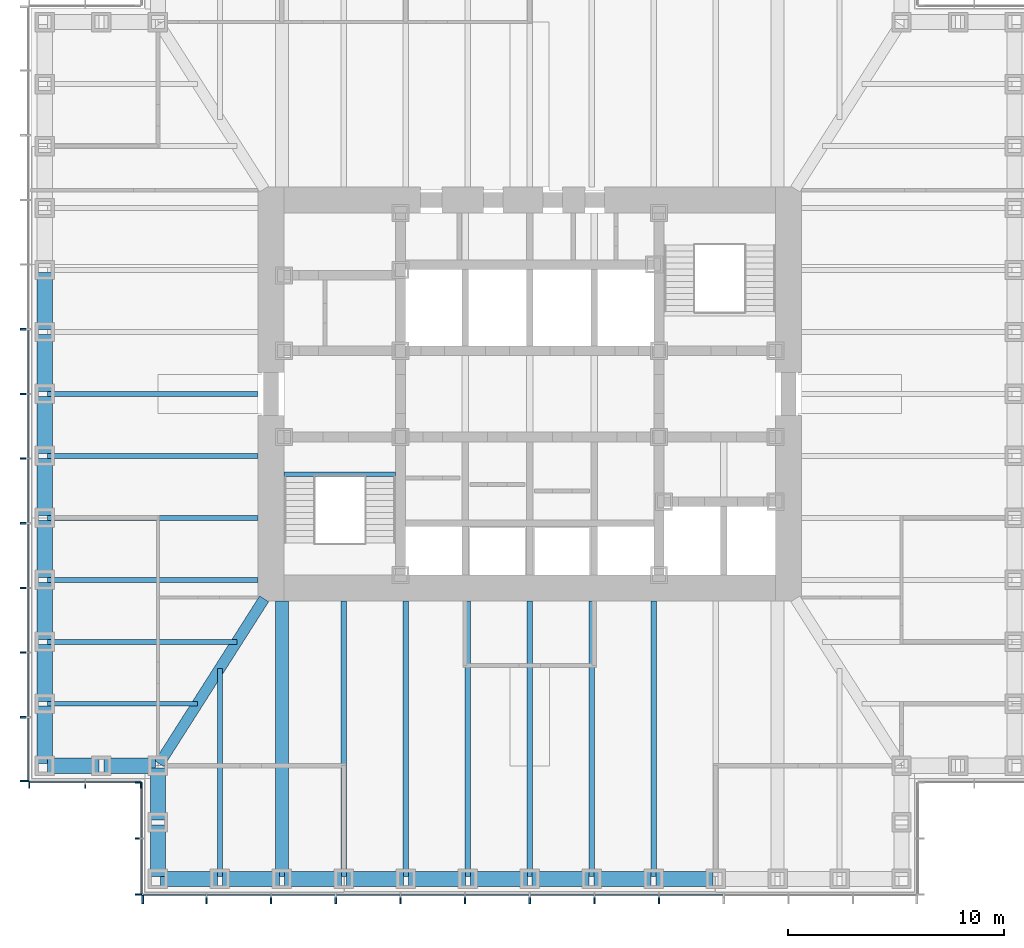
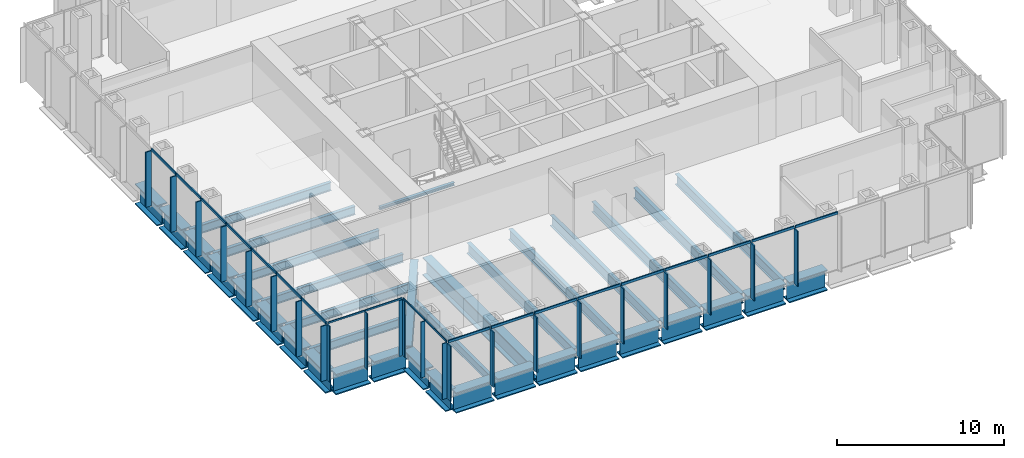
# One storey, part 2 of 16: 43 members, 37 beams, 4 elements without a shape of their own.
"""IFC4 building model written with IfcOpenShell, lengths in metres."""

import ifcopenshell
import ifcopenshell.guid

model = None  # the IFC model being written
_history = None  # IfcOwnerHistory: only IFC2X3 demands one
_inside = {}  # id of a spatial element -> (the spatial element, [elements in it])
_under = {}  # id of a project, library or spatial element -> (it, [spatial elements below it])
_declared = {}  # id of a project -> (the project, [libraries it declares])
_typed = {}  # id of a type object -> (the type object, [elements of that type])
_made_of = {}  # id of a material, layer set ... -> (it, [elements and type objects made of it])


def new_model(schema):
    """Start an empty IFC model of exactly this schema.

    Asked for "IFC4X3", IfcOpenShell would pick the latest addendum, in which some entities
    have other attributes; the version numbers below select the first issue.
    IFC2X3 requires an IfcOwnerHistory on every rooted entity: one is made here for all.
    """
    global model, _history
    if schema == "IFC4X3":
        model = ifcopenshell.file(schema_version=(4, 3, 0, 0))
    else:
        model = ifcopenshell.file(schema=schema)
    _inside.clear()
    _under.clear()
    _declared.clear()
    _typed.clear()
    _made_of.clear()
    _history = None
    if model.schema == "IFC2X3":
        org = make("IfcOrganization", Name="unknown")
        user = make(
            "IfcPersonAndOrganization",
            ThePerson=make("IfcPerson", FamilyName="unknown"),
            TheOrganization=org,
        )
        app = make(
            "IfcApplication",
            ApplicationDeveloper=org,
            Version="unknown",
            ApplicationFullName="unknown",
            ApplicationIdentifier="unknown",
        )
        _history = make(
            "IfcOwnerHistory",
            OwningUser=user,
            OwningApplication=app,
            ChangeAction="ADDED",
            CreationDate=0,
        )
    return model


def make(cls, **values):
    """One entity of the class cls with the attributes given. An attribute that is None is left unset."""
    return model.create_entity(
        cls, **{name: value for name, value in values.items() if value is not None}
    )


def rooted(cls, **values):
    """An entity with a GlobalId (a new one), such as an element, a storey or a relation."""
    return make(cls, GlobalId=ifcopenshell.guid.new(), OwnerHistory=_history, **values)


def si_unit(unit_type, name, prefix=None):
    """IfcSIUnit, for example si_unit("LENGTHUNIT", "METRE", prefix="MILLI")."""
    return make("IfcSIUnit", UnitType=unit_type, Prefix=prefix, Name=name)


def assignment(units):
    """IfcUnitAssignment: the units of a project."""
    return None if units is None else make("IfcUnitAssignment", Units=units)


def point(xyz):
    """IfcCartesianPoint."""
    return None if xyz is None else make("IfcCartesianPoint", Coordinates=xyz)


def direction(xyz):
    """IfcDirection."""
    return None if xyz is None else make("IfcDirection", DirectionRatios=xyz)


def frame(location, z_axis=None, x_axis=None):
    """IfcAxis2Placement3D, a coordinate frame: its origin and axes. An axis left out is left unset."""
    return make(
        "IfcAxis2Placement3D",
        Location=point(location),
        Axis=direction(z_axis),
        RefDirection=direction(x_axis),
    )


def frame_2d(location, x_axis=None):
    """IfcAxis2Placement2D, a coordinate frame in the plane: its origin and x axis."""
    return make(
        "IfcAxis2Placement2D", Location=point(location), RefDirection=direction(x_axis)
    )


def origin():
    """The frame at (0, 0, 0) with its axes left unset."""
    return frame((0.0, 0.0, 0.0))


def origin_2d():
    """The frame at (0, 0) in the plane with its x axis left unset."""
    return frame_2d((0.0, 0.0))


def place(relative_to, where):
    """IfcLocalPlacement: puts the frame where relative to a parent placement (None: the world)."""
    return make(
        "IfcLocalPlacement", PlacementRelTo=relative_to, RelativePlacement=where
    )


def context(
    kind, dimensions, precision=None, world=None, true_north=None, identifier=None
):
    """IfcGeometricRepresentationContext, for example the 3D "Model" context."""
    return make(
        "IfcGeometricRepresentationContext",
        ContextIdentifier=identifier,
        ContextType=kind,
        CoordinateSpaceDimension=dimensions,
        Precision=precision,
        WorldCoordinateSystem=world,
        TrueNorth=true_north,
    )


def subcontext(parent, identifier, kind, view, scale=None):
    """IfcGeometricRepresentationSubContext, for example "Body" below "Model"."""
    return make(
        "IfcGeometricRepresentationSubContext",
        ContextIdentifier=identifier,
        ContextType=kind,
        ParentContext=parent,
        TargetScale=scale,
        TargetView=view,
    )


def project(units=None, contexts=None):
    """IfcProject with its units and contexts."""
    return rooted(
        "IfcProject",
        Name="project",
        RepresentationContexts=contexts,
        UnitsInContext=assignment(units),
    )


def spatial(cls, under=None, at=None, **own):
    """A site, building, storey or space (cls), placed at a placement, below another one or the project."""
    s = rooted(cls, ObjectPlacement=at, **own)
    if under is not None:
        _under.setdefault(under.id(), (under, []))[1].append(s)
    return s


def profile(cls, at=None, kind="AREA", **sizes):
    """A parametric profile (cls). Its sizes go by their IFC names, for example OverallWidth=200.0."""
    return make(cls, ProfileType=kind, Position=at, **sizes)


def rectangle(**sizes):
    """IfcRectangleProfileDef."""
    return profile("IfcRectangleProfileDef", **sizes)


def i_section(**sizes):
    """IfcIShapeProfileDef."""
    return profile("IfcIShapeProfileDef", **sizes)


def extrude(swept, where, along, depth):
    """IfcExtrudedAreaSolid: the profile swept, set in the frame where, extruded along a direction by depth."""
    return make(
        "IfcExtrudedAreaSolid",
        SweptArea=swept,
        Position=where,
        ExtrudedDirection=direction(along),
        Depth=depth,
    )


def shape(context_of_items, identifier, shape_type, items):
    """IfcShapeRepresentation: the items that make up one representation, for example the "Body"."""
    return make(
        "IfcShapeRepresentation",
        ContextOfItems=context_of_items,
        RepresentationIdentifier=identifier,
        RepresentationType=shape_type,
        Items=items,
    )


def material(Name=None, Category=None):
    """IfcMaterial."""
    return make("IfcMaterial", Name=Name, Category=Category)


def material_profile(
    of_material, cross_section, Name=None, Category=None, Priority=None
):
    """IfcMaterialProfile: a cross section and its material."""
    return make(
        "IfcMaterialProfile",
        Name=Name,
        Material=of_material,
        Profile=cross_section,
        Priority=Priority,
        Category=Category,
    )


def profile_set(profiles, Name=None, composite=None):
    """IfcMaterialProfileSet."""
    return make(
        "IfcMaterialProfileSet",
        Name=Name,
        MaterialProfiles=profiles,
        CompositeProfile=composite,
    )


def made_of(thing, what):
    """Note that an element or type object is made of a material, layer set ...; save() writes the relation."""
    if what is not None:
        _made_of.setdefault(what.id(), (what, []))[1].append(thing)
    return thing


def type_object(cls, material=None, **own):
    """A type object (cls), such as IfcWallType, which elements share."""
    return made_of(rooted(cls, **own), material)


def element(
    cls,
    number,
    at=None,
    inside=None,
    cuts=None,
    type_object=None,
    material=None,
    context=None,
    identifier="Body",
    shape_type=None,
    held_by="IfcProductDefinitionShape",
    body=None,
    shapes=None,
    **own,
):
    """One element of the class cls, such as IfcWall. Its Tag is "e" and its number.

    at: its placement. inside: the storey or other place that contains it. cuts: it is an
    opening in that element (IfcRelVoidsElement). A single representation is given by context,
    identifier, shape_type and body (its items); several are given by shapes. held_by: the class
    of the entity that holds the representations. save() writes the other relations.
    """
    e = rooted(cls, Tag="e%d" % number, ObjectPlacement=at, **own)
    if body is not None:
        shapes = [shape(context, identifier, shape_type, body)]
    if shapes is not None:
        e.Representation = make(held_by, Representations=shapes)
    if inside is not None:
        _inside.setdefault(inside.id(), (inside, []))[1].append(e)
    if cuts is not None:
        rooted(
            "IfcRelVoidsElement", RelatingBuildingElement=cuts, RelatedOpeningElement=e
        )
    if type_object is not None:
        _typed.setdefault(type_object.id(), (type_object, []))[1].append(e)
    return made_of(e, material)


def aggregate(whole, parts):
    """IfcRelAggregates: a whole, such as a stair, and the parts it consists of."""
    return rooted("IfcRelAggregates", RelatingObject=whole, RelatedObjects=parts)


def save(model, path):
    """Write the relations noted so far, then the file.

    IfcRelAggregates (storeys below a building ...), IfcRelContainedInSpatialStructure (elements
    in a storey), IfcRelDefinesByType, IfcRelAssociatesMaterial and IfcRelDeclares: one each for
    every whole, place, type object, material and project.
    """
    for whole, parts in _under.values():
        aggregate(whole, parts)
    for where, things in _inside.values():
        rooted(
            "IfcRelContainedInSpatialStructure",
            RelatedElements=things,
            RelatingStructure=where,
        )
    for kind, things in _typed.values():
        rooted("IfcRelDefinesByType", RelatedObjects=things, RelatingType=kind)
    for what, things in _made_of.values():
        rooted("IfcRelAssociatesMaterial", RelatedObjects=things, RelatingMaterial=what)
    for by, libraries in _declared.values():
        rooted("IfcRelDeclares", RelatingContext=by, RelatedDefinitions=libraries)
    model.write(path)


model = new_model("IFC4")

# Units and contexts
model_context = context("Model", 3, precision=1e-05, world=origin(), true_north=direction((0.0, 1.0)))
body_context = subcontext(model_context, "Body", "Model", "MODEL_VIEW")
ifc_project = project(units=[si_unit("LENGTHUNIT", "METRE"), si_unit("AREAUNIT", "SQUARE_METRE"), si_unit("VOLUMEUNIT", "CUBIC_METRE"), si_unit("PLANEANGLEUNIT", "RADIAN"), si_unit("MASSUNIT", "GRAM", prefix="KILO")], contexts=[model_context])

# Site, building, storey
site_placement = place(None, origin())
site = spatial("IfcSite", under=ifc_project, at=site_placement, CompositionType="ELEMENT")
building_placement = place(site_placement, origin())
building = spatial("IfcBuilding", under=site, at=building_placement, Name="Daluyong Arena Tower", CompositionType="ELEMENT")
storey_placement = place(building_placement, frame((0.0, 0.0, 137.5)))
storey = spatial("IfcBuildingStorey", under=building, at=storey_placement, Name="L30", CompositionType="ELEMENT", Elevation=137.5)

# Curtain wall, members
ifc_material_1 = material(Name="Bronze anodised aluminium and glass", Category="aluminium")
curtain_wall_type_1 = type_object("IfcCurtainWallType", Name="Curtain wall CW2", PredefinedType="USERDEFINED", material=ifc_material_1)
curtain_wall_1_placement = place(storey_placement, origin())
curtain_wall_1 = element("IfcCurtainWall", 1, at=curtain_wall_1_placement, inside=storey, type_object=curtain_wall_type_1, Name="curtain wall L30 S", ObjectType="UNITISED CURTAIN WALL", PredefinedType="USERDEFINED")
ifc_material_2 = material(Name="Bronze anodised aluminium fin", Category="aluminium")
ifc_material_profile_1 = material_profile(ifc_material_2, rectangle(XDim=0.39990234375, YDim=0.080078125, at=origin_2d()))
ifc_profile_set_1 = profile_set([ifc_material_profile_1], Name="Bronze anodised aluminium fin")
member_type_1 = type_object("IfcMemberType", Name="CW2 bronze fin 400x80", PredefinedType="MULLION", material=ifc_profile_set_1)
member_1_placement = place(storey_placement, frame((38.0400390625, 56.550048828125, 0.0), z_axis=(0.0, 0.0, 1.0), x_axis=(0.0, 1.0, 0.0)))
member_1 = element("IfcMember", 2, at=member_1_placement, type_object=member_type_1, Name="curtain wall L30 S fin 1", PredefinedType="MULLION", context=body_context, shape_type="SweptSolid", body=[
    extrude(rectangle(XDim=0.39990234375, YDim=0.080078125, at=origin_2d()), origin(), (0.0, 0.0, 1.0), 4.02001953125),
])
member_2_placement = place(storey_placement, frame((41.0, 56.550048828125, 0.0), z_axis=(0.0, 0.0, 1.0), x_axis=(0.0, 1.0, 0.0)))
member_2 = element("IfcMember", 3, at=member_2_placement, type_object=member_type_1, Name="curtain wall L30 S fin 2", PredefinedType="MULLION", context=body_context, shape_type="SweptSolid", body=[
    extrude(rectangle(XDim=0.39990234375, YDim=0.080078125, at=origin_2d()), origin(), (0.0, 0.0, 1.0), 4.02001953125),
])
member_3_placement = place(storey_placement, frame((44.0, 56.550048828125, 0.0), z_axis=(0.0, 0.0, 1.0), x_axis=(0.0, 1.0, 0.0)))
member_3 = element("IfcMember", 4, at=member_3_placement, type_object=member_type_1, Name="curtain wall L30 S fin 3", PredefinedType="MULLION", context=body_context, shape_type="SweptSolid", body=[
    extrude(rectangle(XDim=0.39990234375, YDim=0.080078125, at=origin_2d()), origin(), (0.0, 0.0, 1.0), 4.02001953125),
])
member_4_placement = place(storey_placement, frame((47.0, 56.550048828125, 0.0), z_axis=(0.0, 0.0, 1.0), x_axis=(0.0, 1.0, 0.0)))
member_4 = element("IfcMember", 5, at=member_4_placement, type_object=member_type_1, Name="curtain wall L30 S fin 4", PredefinedType="MULLION", context=body_context, shape_type="SweptSolid", body=[
    extrude(rectangle(XDim=0.39990234375, YDim=0.080078125, at=origin_2d()), origin(), (0.0, 0.0, 1.0), 4.02001953125),
])
member_5_placement = place(storey_placement, frame((50.0, 56.550048828125, 0.0), z_axis=(0.0, 0.0, 1.0), x_axis=(0.0, 1.0, 0.0)))
member_5 = element("IfcMember", 6, at=member_5_placement, type_object=member_type_1, Name="curtain wall L30 S fin 5", PredefinedType="MULLION", context=body_context, shape_type="SweptSolid", body=[
    extrude(rectangle(XDim=0.39990234375, YDim=0.080078125, at=origin_2d()), origin(), (0.0, 0.0, 1.0), 4.02001953125),
])
member_6_placement = place(storey_placement, frame((53.0, 56.550048828125, 0.0), z_axis=(0.0, 0.0, 1.0), x_axis=(0.0, 1.0, 0.0)))
member_6 = element("IfcMember", 7, at=member_6_placement, type_object=member_type_1, Name="curtain wall L30 S fin 6", PredefinedType="MULLION", context=body_context, shape_type="SweptSolid", body=[
    extrude(rectangle(XDim=0.39990234375, YDim=0.080078125, at=origin_2d()), origin(), (0.0, 0.0, 1.0), 4.02001953125),
])
member_7_placement = place(storey_placement, frame((56.0, 56.550048828125, 0.0), z_axis=(0.0, 0.0, 1.0), x_axis=(0.0, 1.0, 0.0)))
member_7 = element("IfcMember", 8, at=member_7_placement, type_object=member_type_1, Name="curtain wall L30 S fin 7", PredefinedType="MULLION", context=body_context, shape_type="SweptSolid", body=[
    extrude(rectangle(XDim=0.39990234375, YDim=0.080078125, at=origin_2d()), origin(), (0.0, 0.0, 1.0), 4.02001953125),
])
member_8_placement = place(storey_placement, frame((59.0, 56.550048828125, 0.0), z_axis=(0.0, 0.0, 1.0), x_axis=(0.0, 1.0, 0.0)))
member_8 = element("IfcMember", 9, at=member_8_placement, type_object=member_type_1, Name="curtain wall L30 S fin 8", PredefinedType="MULLION", context=body_context, shape_type="SweptSolid", body=[
    extrude(rectangle(XDim=0.39990234375, YDim=0.080078125, at=origin_2d()), origin(), (0.0, 0.0, 1.0), 4.02001953125),
])
member_9_placement = place(storey_placement, frame((62.0, 56.550048828125, 0.0), z_axis=(0.0, 0.0, 1.0), x_axis=(0.0, 1.0, 0.0)))
member_9 = element("IfcMember", 10, at=member_9_placement, type_object=member_type_1, Name="curtain wall L30 S fin 9", PredefinedType="MULLION", context=body_context, shape_type="SweptSolid", body=[
    extrude(rectangle(XDim=0.39990234375, YDim=0.080078125, at=origin_2d()), origin(), (0.0, 0.0, 1.0), 4.02001953125),
])

curtain_wall_2_placement = place(storey_placement, origin())
curtain_wall_2 = element("IfcCurtainWall", 11, at=curtain_wall_2_placement, inside=storey, type_object=curtain_wall_type_1, Name="curtain wall L30 W", ObjectType="UNITISED CURTAIN WALL", PredefinedType="USERDEFINED")
member_10_placement = place(storey_placement, frame((32.550048828125, 83.0, 0.0), z_axis=(0.0, 0.0, 1.0), x_axis=(1.0, 0.0, 0.0)))
member_10 = element("IfcMember", 12, at=member_10_placement, type_object=member_type_1, Name="curtain wall L30 W fin 6", PredefinedType="MULLION", context=body_context, shape_type="SweptSolid", body=[
    extrude(rectangle(XDim=0.39990234375, YDim=0.080078125, at=origin_2d()), origin(), (0.0, 0.0, 1.0), 4.02001953125),
])
member_11_placement = place(storey_placement, frame((32.550048828125, 80.0, 0.0), z_axis=(0.0, 0.0, 1.0), x_axis=(1.0, 0.0, 0.0)))
member_11 = element("IfcMember", 13, at=member_11_placement, type_object=member_type_1, Name="curtain wall L30 W fin 7", PredefinedType="MULLION", context=body_context, shape_type="SweptSolid", body=[
    extrude(rectangle(XDim=0.39990234375, YDim=0.080078125, at=origin_2d()), origin(), (0.0, 0.0, 1.0), 4.02001953125),
])
member_12_placement = place(storey_placement, frame((32.550048828125, 77.0, 0.0), z_axis=(0.0, 0.0, 1.0), x_axis=(1.0, 0.0, 0.0)))
member_12 = element("IfcMember", 14, at=member_12_placement, type_object=member_type_1, Name="curtain wall L30 W fin 8", PredefinedType="MULLION", context=body_context, shape_type="SweptSolid", body=[
    extrude(rectangle(XDim=0.39990234375, YDim=0.080078125, at=origin_2d()), origin(), (0.0, 0.0, 1.0), 4.02001953125),
])
member_13_placement = place(storey_placement, frame((32.550048828125, 74.0, 0.0), z_axis=(0.0, 0.0, 1.0), x_axis=(1.0, 0.0, 0.0)))
member_13 = element("IfcMember", 15, at=member_13_placement, type_object=member_type_1, Name="curtain wall L30 W fin 9", PredefinedType="MULLION", context=body_context, shape_type="SweptSolid", body=[
    extrude(rectangle(XDim=0.39990234375, YDim=0.080078125, at=origin_2d()), origin(), (0.0, 0.0, 1.0), 4.02001953125),
])
member_14_placement = place(storey_placement, frame((32.550048828125, 71.0, 0.0), z_axis=(0.0, 0.0, 1.0), x_axis=(1.0, 0.0, 0.0)))
member_14 = element("IfcMember", 16, at=member_14_placement, type_object=member_type_1, Name="curtain wall L30 W fin 10", PredefinedType="MULLION", context=body_context, shape_type="SweptSolid", body=[
    extrude(rectangle(XDim=0.39990234375, YDim=0.080078125, at=origin_2d()), origin(), (0.0, 0.0, 1.0), 4.02001953125),
])
member_15_placement = place(storey_placement, frame((32.550048828125, 68.0, 0.0), z_axis=(0.0, 0.0, 1.0), x_axis=(1.0, 0.0, 0.0)))
member_15 = element("IfcMember", 17, at=member_15_placement, type_object=member_type_1, Name="curtain wall L30 W fin 11", PredefinedType="MULLION", context=body_context, shape_type="SweptSolid", body=[
    extrude(rectangle(XDim=0.39990234375, YDim=0.080078125, at=origin_2d()), origin(), (0.0, 0.0, 1.0), 4.02001953125),
])
member_16_placement = place(storey_placement, frame((32.550048828125, 65.0, 0.0), z_axis=(0.0, 0.0, 1.0), x_axis=(1.0, 0.0, 0.0)))
member_16 = element("IfcMember", 18, at=member_16_placement, type_object=member_type_1, Name="curtain wall L30 W fin 12", PredefinedType="MULLION", context=body_context, shape_type="SweptSolid", body=[
    extrude(rectangle(XDim=0.39990234375, YDim=0.080078125, at=origin_2d()), origin(), (0.0, 0.0, 1.0), 4.02001953125),
])
member_17_placement = place(storey_placement, frame((32.550048828125, 62.0400390625, 0.0), z_axis=(0.0, 0.0, 1.0), x_axis=(1.0, 0.0, 0.0)))
member_17 = element("IfcMember", 19, at=member_17_placement, type_object=member_type_1, Name="curtain wall L30 W fin 13", PredefinedType="MULLION", context=body_context, shape_type="SweptSolid", body=[
    extrude(rectangle(XDim=0.39990234375, YDim=0.080078125, at=origin_2d()), origin(), (0.0, 0.0, 1.0), 4.02001953125),
])

# Member
ifc_material_3 = material(Name="Bronze anodised aluminium", Category="aluminium")
ifc_material_profile_2 = material_profile(ifc_material_3, rectangle(XDim=0.080078125, YDim=0.179931640625, at=origin_2d()))
ifc_profile_set_2 = profile_set([ifc_material_profile_2], Name="Bronze anodised aluminium")
member_type_2 = type_object("IfcMemberType", Name="CW2 stack transom 180x80", PredefinedType="USERDEFINED", material=ifc_profile_set_2)
member_18_placement = place(storey_placement, frame((38.080078125, 56.75, 4.110107421875), z_axis=(1.0, 0.0, 0.0), x_axis=(0.0, 1.0, 0.0)))
member_18 = element("IfcMember", 20, at=member_18_placement, type_object=member_type_2, Name="curtain wall L30 S transom 1", ObjectType="TRANSOM", PredefinedType="USERDEFINED", context=body_context, shape_type="SweptSolid", body=[
    extrude(rectangle(XDim=0.080078125, YDim=0.179931640625, at=origin_2d()), origin(), (0.0, 0.0, 1.0), 2.8798828125),
])

member_19_placement = place(storey_placement, frame((41.0400390625, 56.75, 4.110107421875), z_axis=(1.0, 0.0, 0.0), x_axis=(0.0, 1.0, 0.0)))
member_19 = element("IfcMember", 21, at=member_19_placement, type_object=member_type_2, Name="curtain wall L30 S transom 2", ObjectType="TRANSOM", PredefinedType="USERDEFINED", context=body_context, shape_type="SweptSolid", body=[
    extrude(rectangle(XDim=0.080078125, YDim=0.179931640625, at=origin_2d()), origin(), (0.0, 0.0, 1.0), 2.919921875),
])

member_20_placement = place(storey_placement, frame((44.0400390625, 56.75, 4.110107421875), z_axis=(1.0, 0.0, 0.0), x_axis=(0.0, 1.0, 0.0)))
member_20 = element("IfcMember", 22, at=member_20_placement, type_object=member_type_2, Name="curtain wall L30 S transom 3", ObjectType="TRANSOM", PredefinedType="USERDEFINED", context=body_context, shape_type="SweptSolid", body=[
    extrude(rectangle(XDim=0.080078125, YDim=0.179931640625, at=origin_2d()), origin(), (0.0, 0.0, 1.0), 2.919921875),
])

member_21_placement = place(storey_placement, frame((47.0400390625, 56.75, 4.110107421875), z_axis=(1.0, 0.0, 0.0), x_axis=(0.0, 1.0, 0.0)))
member_21 = element("IfcMember", 23, at=member_21_placement, type_object=member_type_2, Name="curtain wall L30 S transom 4", ObjectType="TRANSOM", PredefinedType="USERDEFINED", context=body_context, shape_type="SweptSolid", body=[
    extrude(rectangle(XDim=0.080078125, YDim=0.179931640625, at=origin_2d()), origin(), (0.0, 0.0, 1.0), 2.919921875),
])

member_22_placement = place(storey_placement, frame((50.0400390625, 56.75, 4.110107421875), z_axis=(1.0, 0.0, 0.0), x_axis=(0.0, 1.0, 0.0)))
member_22 = element("IfcMember", 24, at=member_22_placement, type_object=member_type_2, Name="curtain wall L30 S transom 5", ObjectType="TRANSOM", PredefinedType="USERDEFINED", context=body_context, shape_type="SweptSolid", body=[
    extrude(rectangle(XDim=0.080078125, YDim=0.179931640625, at=origin_2d()), origin(), (0.0, 0.0, 1.0), 2.919921875),
])

member_23_placement = place(storey_placement, frame((53.0400390625, 56.75, 4.110107421875), z_axis=(1.0, 0.0, 0.0), x_axis=(0.0, 1.0, 0.0)))
member_23 = element("IfcMember", 25, at=member_23_placement, type_object=member_type_2, Name="curtain wall L30 S transom 6", ObjectType="TRANSOM", PredefinedType="USERDEFINED", context=body_context, shape_type="SweptSolid", body=[
    extrude(rectangle(XDim=0.080078125, YDim=0.179931640625, at=origin_2d()), origin(), (0.0, 0.0, 1.0), 2.919921875),
])

member_24_placement = place(storey_placement, frame((56.0400390625, 56.75, 4.110107421875), z_axis=(1.0, 0.0, 0.0), x_axis=(0.0, 1.0, 0.0)))
member_24 = element("IfcMember", 26, at=member_24_placement, type_object=member_type_2, Name="curtain wall L30 S transom 7", ObjectType="TRANSOM", PredefinedType="USERDEFINED", context=body_context, shape_type="SweptSolid", body=[
    extrude(rectangle(XDim=0.080078125, YDim=0.179931640625, at=origin_2d()), origin(), (0.0, 0.0, 1.0), 2.919921875),
])

member_25_placement = place(storey_placement, frame((59.0400390625, 56.75, 4.110107421875), z_axis=(1.0, 0.0, 0.0), x_axis=(0.0, 1.0, 0.0)))
member_25 = element("IfcMember", 27, at=member_25_placement, type_object=member_type_2, Name="curtain wall L30 S transom 8", ObjectType="TRANSOM", PredefinedType="USERDEFINED", context=body_context, shape_type="SweptSolid", body=[
    extrude(rectangle(XDim=0.080078125, YDim=0.179931640625, at=origin_2d()), origin(), (0.0, 0.0, 1.0), 2.919921875),
])

member_26_placement = place(storey_placement, frame((62.0400390625, 56.75, 4.110107421875), z_axis=(1.0, 0.0, 0.0), x_axis=(0.0, 1.0, 0.0)))
member_26 = element("IfcMember", 28, at=member_26_placement, type_object=member_type_2, Name="curtain wall L30 S transom 9", ObjectType="TRANSOM", PredefinedType="USERDEFINED", context=body_context, shape_type="SweptSolid", body=[
    extrude(rectangle(XDim=0.080078125, YDim=0.179931640625, at=origin_2d()), origin(), (0.0, 0.0, 1.0), 2.919921875),
])

aggregate(curtain_wall_1, [member_1, member_2, member_3, member_4, member_5, member_6, member_7, member_8, member_9, member_18, member_19, member_20, member_21, member_22, member_23, member_24, member_25, member_26])

member_27_placement = place(storey_placement, frame((32.75, 82.9599609375, 4.110107421875), z_axis=(0.0, -1.0, 0.0), x_axis=(1.0, 0.0, 0.0)))
member_27 = element("IfcMember", 29, at=member_27_placement, type_object=member_type_2, Name="curtain wall L30 W transom 6", ObjectType="TRANSOM", PredefinedType="USERDEFINED", context=body_context, shape_type="SweptSolid", body=[
    extrude(rectangle(XDim=0.080078125, YDim=0.179931640625, at=origin_2d()), origin(), (0.0, 0.0, 1.0), 2.919921875),
])

member_28_placement = place(storey_placement, frame((32.75, 79.9599609375, 4.110107421875), z_axis=(0.0, -1.0, 0.0), x_axis=(1.0, 0.0, 0.0)))
member_28 = element("IfcMember", 30, at=member_28_placement, type_object=member_type_2, Name="curtain wall L30 W transom 7", ObjectType="TRANSOM", PredefinedType="USERDEFINED", context=body_context, shape_type="SweptSolid", body=[
    extrude(rectangle(XDim=0.080078125, YDim=0.179931640625, at=origin_2d()), origin(), (0.0, 0.0, 1.0), 2.919921875),
])

member_29_placement = place(storey_placement, frame((32.75, 76.9599609375, 4.110107421875), z_axis=(0.0, -1.0, 0.0), x_axis=(1.0, 0.0, 0.0)))
member_29 = element("IfcMember", 31, at=member_29_placement, type_object=member_type_2, Name="curtain wall L30 W transom 8", ObjectType="TRANSOM", PredefinedType="USERDEFINED", context=body_context, shape_type="SweptSolid", body=[
    extrude(rectangle(XDim=0.080078125, YDim=0.179931640625, at=origin_2d()), origin(), (0.0, 0.0, 1.0), 2.919921875),
])

member_30_placement = place(storey_placement, frame((32.75, 73.9599609375, 4.110107421875), z_axis=(0.0, -1.0, 0.0), x_axis=(1.0, 0.0, 0.0)))
member_30 = element("IfcMember", 32, at=member_30_placement, type_object=member_type_2, Name="curtain wall L30 W transom 9", ObjectType="TRANSOM", PredefinedType="USERDEFINED", context=body_context, shape_type="SweptSolid", body=[
    extrude(rectangle(XDim=0.080078125, YDim=0.179931640625, at=origin_2d()), origin(), (0.0, 0.0, 1.0), 2.919921875),
])

member_31_placement = place(storey_placement, frame((32.75, 70.9599609375, 4.110107421875), z_axis=(0.0, -1.0, 0.0), x_axis=(1.0, 0.0, 0.0)))
member_31 = element("IfcMember", 33, at=member_31_placement, type_object=member_type_2, Name="curtain wall L30 W transom 10", ObjectType="TRANSOM", PredefinedType="USERDEFINED", context=body_context, shape_type="SweptSolid", body=[
    extrude(rectangle(XDim=0.080078125, YDim=0.179931640625, at=origin_2d()), origin(), (0.0, 0.0, 1.0), 2.919921875),
])

member_32_placement = place(storey_placement, frame((32.75, 67.9599609375, 4.110107421875), z_axis=(0.0, -1.0, 0.0), x_axis=(1.0, 0.0, 0.0)))
member_32 = element("IfcMember", 34, at=member_32_placement, type_object=member_type_2, Name="curtain wall L30 W transom 11", ObjectType="TRANSOM", PredefinedType="USERDEFINED", context=body_context, shape_type="SweptSolid", body=[
    extrude(rectangle(XDim=0.080078125, YDim=0.179931640625, at=origin_2d()), origin(), (0.0, 0.0, 1.0), 2.919921875),
])

member_33_placement = place(storey_placement, frame((32.75, 64.9599609375, 4.110107421875), z_axis=(0.0, -1.0, 0.0), x_axis=(1.0, 0.0, 0.0)))
member_33 = element("IfcMember", 35, at=member_33_placement, type_object=member_type_2, Name="curtain wall L30 W transom 12", ObjectType="TRANSOM", PredefinedType="USERDEFINED", context=body_context, shape_type="SweptSolid", body=[
    extrude(rectangle(XDim=0.080078125, YDim=0.179931640625, at=origin_2d()), origin(), (0.0, 0.0, 1.0), 2.8798828125),
])

aggregate(curtain_wall_2, [member_10, member_11, member_12, member_13, member_14, member_15, member_16, member_17, member_27, member_28, member_29, member_30, member_31, member_32, member_33])

# Curtain wall, members
ifc_material_4 = material(Name="Bronze anodised aluminium and glass", Category="aluminium")
curtain_wall_type_2 = type_object("IfcCurtainWallType", Name="Curtain wall CW7", PredefinedType="USERDEFINED", material=ifc_material_4)
curtain_wall_3_placement = place(storey_placement, origin())
curtain_wall_3 = element("IfcCurtainWall", 36, at=curtain_wall_3_placement, inside=storey, type_object=curtain_wall_type_2, Name="curtain wall L30 SW-S", ObjectType="UNITISED CURTAIN WALL", PredefinedType="USERDEFINED")
ifc_material_5 = material(Name="Bronze anodised aluminium fin", Category="aluminium")
ifc_material_profile_3 = material_profile(ifc_material_5, rectangle(XDim=0.300048828125, YDim=0.06005859375, at=origin_2d()))
ifc_profile_set_3 = profile_set([ifc_material_profile_3], Name="Bronze anodised aluminium fin")
member_type_3 = type_object("IfcMemberType", Name="CW7 bronze fin 300x60", PredefinedType="MULLION", material=ifc_profile_set_3)
member_34_placement = place(storey_placement, frame((32.780029296875, 61.85009765625, 0.0), z_axis=(0.0, 0.0, 1.0), x_axis=(0.0, 1.0, 0.0)))
member_34 = element("IfcMember", 37, at=member_34_placement, type_object=member_type_3, Name="curtain wall L30 SW-S fin 1", PredefinedType="MULLION", context=body_context, shape_type="SweptSolid", body=[
    extrude(rectangle(XDim=0.300048828125, YDim=0.06005859375, at=origin_2d()), origin(), (0.0, 0.0, 1.0), 4.080078125),
])
member_35_placement = place(storey_placement, frame((35.375, 61.85009765625, 0.0), z_axis=(0.0, 0.0, 1.0), x_axis=(0.0, 1.0, 0.0)))
member_35 = element("IfcMember", 38, at=member_35_placement, type_object=member_type_3, Name="curtain wall L30 SW-S fin 2", PredefinedType="MULLION", context=body_context, shape_type="SweptSolid", body=[
    extrude(rectangle(XDim=0.300048828125, YDim=0.06005859375, at=origin_2d()), origin(), (0.0, 0.0, 1.0), 4.080078125),
])
member_36_placement = place(storey_placement, frame((37.969970703125, 61.85009765625, 0.0), z_axis=(0.0, 0.0, 1.0), x_axis=(0.0, 1.0, 0.0)))
member_36 = element("IfcMember", 39, at=member_36_placement, type_object=member_type_3, Name="curtain wall L30 SW-S fin 3", PredefinedType="MULLION", context=body_context, shape_type="SweptSolid", body=[
    extrude(rectangle(XDim=0.300048828125, YDim=0.06005859375, at=origin_2d()), origin(), (0.0, 0.0, 1.0), 4.080078125),
])

curtain_wall_4_placement = place(storey_placement, origin())
curtain_wall_4 = element("IfcCurtainWall", 40, at=curtain_wall_4_placement, inside=storey, type_object=curtain_wall_type_2, Name="curtain wall L30 SW-W", ObjectType="UNITISED CURTAIN WALL", PredefinedType="USERDEFINED")
member_37_placement = place(storey_placement, frame((37.85009765625, 61.969970703125, 0.0), z_axis=(0.0, 0.0, 1.0), x_axis=(1.0, 0.0, 0.0)))
member_37 = element("IfcMember", 41, at=member_37_placement, type_object=member_type_3, Name="curtain wall L30 SW-W fin 1", PredefinedType="MULLION", context=body_context, shape_type="SweptSolid", body=[
    extrude(rectangle(XDim=0.300048828125, YDim=0.06005859375, at=origin_2d()), origin(), (0.0, 0.0, 1.0), 4.080078125),
])
member_38_placement = place(storey_placement, frame((37.85009765625, 59.375, 0.0), z_axis=(0.0, 0.0, 1.0), x_axis=(1.0, 0.0, 0.0)))
member_38 = element("IfcMember", 42, at=member_38_placement, type_object=member_type_3, Name="curtain wall L30 SW-W fin 2", PredefinedType="MULLION", context=body_context, shape_type="SweptSolid", body=[
    extrude(rectangle(XDim=0.300048828125, YDim=0.06005859375, at=origin_2d()), origin(), (0.0, 0.0, 1.0), 4.080078125),
])
member_39_placement = place(storey_placement, frame((37.85009765625, 56.780029296875, 0.0), z_axis=(0.0, 0.0, 1.0), x_axis=(1.0, 0.0, 0.0)))
member_39 = element("IfcMember", 43, at=member_39_placement, type_object=member_type_3, Name="curtain wall L30 SW-W fin 3", PredefinedType="MULLION", context=body_context, shape_type="SweptSolid", body=[
    extrude(rectangle(XDim=0.300048828125, YDim=0.06005859375, at=origin_2d()), origin(), (0.0, 0.0, 1.0), 4.080078125),
])

# Member
ifc_material_6 = material(Name="Bronze anodised aluminium", Category="aluminium")
ifc_material_profile_4 = material_profile(ifc_material_6, rectangle(XDim=0.06005859375, YDim=0.1201171875, at=origin_2d()))
ifc_profile_set_4 = profile_set([ifc_material_profile_4], Name="Bronze anodised aluminium")
member_type_4 = type_object("IfcMemberType", Name="CW7 stack transom 120x60", PredefinedType="USERDEFINED", material=ifc_profile_set_4)
member_40_placement = place(storey_placement, frame((32.81005859375, 62.0, 4.139892578125), z_axis=(1.0, 0.0, 0.0), x_axis=(0.0, 1.0, 0.0)))
member_40 = element("IfcMember", 44, at=member_40_placement, type_object=member_type_4, Name="curtain wall L30 SW-S transom 1", ObjectType="TRANSOM", PredefinedType="USERDEFINED", context=body_context, shape_type="SweptSolid", body=[
    extrude(rectangle(XDim=0.06005859375, YDim=0.1201171875, at=origin_2d()), origin(), (0.0, 0.0, 1.0), 2.534912109375),
])

member_41_placement = place(storey_placement, frame((35.405029296875, 62.0, 4.139892578125), z_axis=(1.0, 0.0, 0.0), x_axis=(0.0, 1.0, 0.0)))
member_41 = element("IfcMember", 45, at=member_41_placement, type_object=member_type_4, Name="curtain wall L30 SW-S transom 2", ObjectType="TRANSOM", PredefinedType="USERDEFINED", context=body_context, shape_type="SweptSolid", body=[
    extrude(rectangle(XDim=0.06005859375, YDim=0.1201171875, at=origin_2d()), origin(), (0.0, 0.0, 1.0), 2.534912109375),
])

aggregate(curtain_wall_3, [member_34, member_35, member_36, member_40, member_41])

member_42_placement = place(storey_placement, frame((38.0, 61.93994140625, 4.139892578125), z_axis=(0.0, -1.0, 0.0), x_axis=(1.0, 0.0, 0.0)))
member_42 = element("IfcMember", 46, at=member_42_placement, type_object=member_type_4, Name="curtain wall L30 SW-W transom 1", ObjectType="TRANSOM", PredefinedType="USERDEFINED", context=body_context, shape_type="SweptSolid", body=[
    extrude(rectangle(XDim=0.06005859375, YDim=0.1201171875, at=origin_2d()), origin(), (0.0, 0.0, 1.0), 2.534912109375),
])

member_43_placement = place(storey_placement, frame((38.0, 59.344970703125, 4.139892578125), z_axis=(0.0, -1.0, 0.0), x_axis=(1.0, 0.0, 0.0)))
member_43 = element("IfcMember", 47, at=member_43_placement, type_object=member_type_4, Name="curtain wall L30 SW-W transom 2", ObjectType="TRANSOM", PredefinedType="USERDEFINED", context=body_context, shape_type="SweptSolid", body=[
    extrude(rectangle(XDim=0.06005859375, YDim=0.1201171875, at=origin_2d()), origin(), (0.0, 0.0, 1.0), 2.534912109375),
])

aggregate(curtain_wall_4, [member_37, member_38, member_39, member_42, member_43])

# Beams
ifc_material_7 = material(Name="Steel ASTM A572 Grade 50", Category="steel")
ifc_material_profile_5 = material_profile(ifc_material_7, i_section(OverallWidth=0.5, OverallDepth=1.0, WebThickness=0.03, FlangeThickness=0.06, at=origin_2d()))
ifc_profile_set_5 = profile_set([ifc_material_profile_5], Name="Steel ASTM A572 Grade 50")
beam_type_1 = type_object("IfcBeamType", Name="Corner girder TB1000X500", PredefinedType="BEAM", material=ifc_profile_set_5)
beam_1_placement = place(storey_placement, frame((38.811767578125, 62.846923828125, -0.659912109375), z_axis=(0.536872006459, 0.843663705916, 0.0), x_axis=(-0.843663705916, 0.536872006459, 0.0)))
element("IfcBeam", 48, at=beam_1_placement, inside=storey, type_object=beam_type_1, Name="corner girder DG2", PredefinedType="BEAM", context=body_context, shape_type="SweptSolid", body=[
    extrude(i_section(OverallWidth=0.5, OverallDepth=1.0, WebThickness=0.03, FlangeThickness=0.06, at=origin_2d()), origin(), (0.0, 0.0, 1.0), 9.06396484375),
])
ifc_material_8 = material(Name="Steel ASTM A572 Grade 50", Category="steel")
ifc_material_profile_6 = material_profile(ifc_material_8, i_section(OverallWidth=0.60009765625, OverallDepth=1.300048828125, WebThickness=0.035, FlangeThickness=0.07, at=origin_2d()))
ifc_profile_set_6 = profile_set([ifc_material_profile_6], Name="Steel ASTM A572 Grade 50")
beam_type_2 = type_object("IfcBeamType", Name="Floor beam TB1300X600", PredefinedType="BEAM", material=ifc_profile_set_6)
beam_2_placement = place(storey_placement, frame((44.5, 57.614990234375, -0.81005859375), z_axis=(0.0, 1.0, 0.0), x_axis=(-1.0, 0.0, 0.0)))
element("IfcBeam", 49, at=beam_2_placement, inside=storey, type_object=beam_type_2, Name="floor beam FB7", PredefinedType="BEAM", context=body_context, shape_type="SweptSolid", body=[
    extrude(i_section(OverallWidth=0.60009765625, OverallDepth=1.300048828125, WebThickness=0.035, FlangeThickness=0.07, at=origin_2d()), origin(), (0.0, 0.0, 1.0), 12.784912109375),
])
ifc_material_9 = material(Name="Steel ASTM A992 Grade 50", Category="steel")
ifc_material_profile_7 = material_profile(ifc_material_9, i_section(OverallWidth=0.22900390625, OverallDepth=0.612060546875, WebThickness=0.011962890625, FlangeThickness=0.01953125, at=origin_2d()))
ifc_profile_set_7 = profile_set([ifc_material_profile_7], Name="Steel ASTM A992 Grade 50")
beam_type_3 = type_object("IfcBeamType", Name="Floor beam W24X84", PredefinedType="BEAM", material=ifc_profile_set_7)
beam_3_placement = place(storey_placement, frame((41.625, 57.614990234375, -0.466064453125), z_axis=(0.0, 1.0, 0.0), x_axis=(-1.0, 0.0, 0.0)))
element("IfcBeam", 50, at=beam_3_placement, inside=storey, type_object=beam_type_3, Name="floor beam FB3", PredefinedType="BEAM", context=body_context, shape_type="SweptSolid", body=[
    extrude(i_section(OverallWidth=0.22900390625, OverallDepth=0.612060546875, WebThickness=0.011962890625, FlangeThickness=0.01953125, at=origin_2d()), origin(), (0.0, 0.0, 1.0), 9.65283203125),
])
for number, where, z_axis, x_axis, name in (
    (51, (33.614990234375, 80.0, -0.466064453125), (1.0, 0.0, 0.0), (0.0, 1.0, 0.0), "floor beam FB3"),
    (52, (33.614990234375, 77.125, -0.466064453125), (1.0, 0.0, 0.0), (0.0, 1.0, 0.0), "floor beam FB3"),
    (53, (33.614990234375, 74.25, -0.466064453125), (1.0, 0.0, 0.0), (0.0, 1.0, 0.0), "floor beam FB3"),
    (54, (33.614990234375, 71.375, -0.466064453125), (1.0, 0.0, 0.0), (0.0, 1.0, 0.0), "floor beam FB3"),
):
    element("IfcBeam", number, at=place(storey_placement, frame(where, z_axis=z_axis, x_axis=x_axis)), inside=storey, type_object=beam_type_3, Name=name, PredefinedType="BEAM", context=body_context, shape_type="SweptSolid", body=[
        extrude(i_section(OverallWidth=0.22900390625, OverallDepth=0.612060546875, WebThickness=0.011962890625, FlangeThickness=0.01953125, at=origin_2d()), origin(), (0.0, 0.0, 1.0), 9.784912109375),
    ])
beam_4_placement = place(storey_placement, frame((33.614990234375, 68.5, -0.466064453125), z_axis=(1.0, 0.0, 0.0), x_axis=(0.0, 1.0, 0.0)))
element("IfcBeam", 55, at=beam_4_placement, inside=storey, type_object=beam_type_3, Name="floor beam FB3", PredefinedType="BEAM", context=body_context, shape_type="SweptSolid", body=[
    extrude(i_section(OverallWidth=0.22900390625, OverallDepth=0.612060546875, WebThickness=0.011962890625, FlangeThickness=0.01953125, at=origin_2d()), origin(), (0.0, 0.0, 1.0), 8.794189453125),
])
beam_5_placement = place(storey_placement, frame((33.614990234375, 65.625, -0.466064453125), z_axis=(1.0, 0.0, 0.0), x_axis=(0.0, 1.0, 0.0)))
element("IfcBeam", 56, at=beam_5_placement, inside=storey, type_object=beam_type_3, Name="floor beam FB3", PredefinedType="BEAM", context=body_context, shape_type="SweptSolid", body=[
    extrude(i_section(OverallWidth=0.22900390625, OverallDepth=0.612060546875, WebThickness=0.011962890625, FlangeThickness=0.01953125, at=origin_2d()), origin(), (0.0, 0.0, 1.0), 6.964599609375),
])
ifc_material_10 = material(Name="Steel ASTM A992 Grade 50", Category="steel")
ifc_material_profile_8 = material_profile(ifc_material_10, i_section(OverallWidth=0.2666015625, OverallDepth=0.761962890625, WebThickness=0.014404296875, FlangeThickness=0.021484375, at=origin_2d()))
ifc_profile_set_8 = profile_set([ifc_material_profile_8], Name="Steel ASTM A992 Grade 50")
beam_type_4 = type_object("IfcBeamType", Name="Floor beam W30X116", PredefinedType="BEAM", material=ifc_profile_set_8)
for number, where, z_axis, x_axis, name in (
    (57, (47.375, 57.614990234375, -0.541015625), (0.0, 1.0, 0.0), (-1.0, 0.0, 0.0), "floor beam FB4"),
    (58, (50.25, 57.614990234375, -0.541015625), (0.0, 1.0, 0.0), (-1.0, 0.0, 0.0), "floor beam FB4"),
    (59, (53.125, 57.614990234375, -0.541015625), (0.0, 1.0, 0.0), (-1.0, 0.0, 0.0), "floor beam FB4"),
    (60, (56.0, 57.614990234375, -0.541015625), (0.0, 1.0, 0.0), (-1.0, 0.0, 0.0), "floor beam FB4"),
    (61, (58.875, 57.614990234375, -0.541015625), (0.0, 1.0, 0.0), (-1.0, 0.0, 0.0), "floor beam FB4"),
    (62, (61.75, 57.614990234375, -0.541015625), (0.0, 1.0, 0.0), (-1.0, 0.0, 0.0), "floor beam FB4"),
):
    element("IfcBeam", number, at=place(storey_placement, frame(where, z_axis=z_axis, x_axis=x_axis)), inside=storey, type_object=beam_type_4, Name=name, PredefinedType="BEAM", context=body_context, shape_type="SweptSolid", body=[
        extrude(i_section(OverallWidth=0.2666015625, OverallDepth=0.761962890625, WebThickness=0.014404296875, FlangeThickness=0.021484375, at=origin_2d()), origin(), (0.0, 0.0, 1.0), 12.784912109375),
    ])
ifc_material_11 = material(Name="Steel ASTM A572 Grade 50", Category="steel")
ifc_material_profile_9 = material_profile(ifc_material_11, i_section(OverallWidth=0.699951171875, OverallDepth=1.5, WebThickness=0.04, FlangeThickness=0.08, at=origin_2d()))
ifc_profile_set_9 = profile_set([ifc_material_profile_9], Name="Steel ASTM A572 Grade 50")
beam_type_5 = type_object("IfcBeamType", Name="Spandrel Z2 PG1500X700", PredefinedType="SPANDREL", material=ifc_profile_set_9)
for number, where, z_axis, x_axis, name in (
    (63, (38.864990234375, 57.5, -0.909912109375), (1.0, 0.0, 0.0), (0.0, 1.0, 0.0), "spandrel z2 SB6"),
    (64, (41.739990234375, 57.5, -0.909912109375), (1.0, 0.0, 0.0), (0.0, 1.0, 0.0), "spandrel z2 SB6"),
    (65, (44.614990234375, 57.5, -0.909912109375), (1.0, 0.0, 0.0), (0.0, 1.0, 0.0), "spandrel z2 SB6"),
    (66, (47.489990234375, 57.5, -0.909912109375), (1.0, 0.0, 0.0), (0.0, 1.0, 0.0), "spandrel z2 SB6"),
    (67, (50.364990234375, 57.5, -0.909912109375), (1.0, 0.0, 0.0), (0.0, 1.0, 0.0), "spandrel z2 SB6"),
    (68, (53.239990234375, 57.5, -0.909912109375), (1.0, 0.0, 0.0), (0.0, 1.0, 0.0), "spandrel z2 SB6"),
    (69, (56.114990234375, 57.5, -0.909912109375), (1.0, 0.0, 0.0), (0.0, 1.0, 0.0), "spandrel z2 SB6"),
    (70, (58.989990234375, 57.5, -0.909912109375), (1.0, 0.0, 0.0), (0.0, 1.0, 0.0), "spandrel z2 SB6"),
    (71, (61.864990234375, 57.5, -0.909912109375), (1.0, 0.0, 0.0), (0.0, 1.0, 0.0), "spandrel z2 SB6"),
    (72, (33.5, 85.635009765625, -0.909912109375), (0.0, -1.0, 0.0), (1.0, 0.0, 0.0), "spandrel z2 SB6"),
    (73, (33.5, 82.760009765625, -0.909912109375), (0.0, -1.0, 0.0), (1.0, 0.0, 0.0), "spandrel z2 SB6"),
    (74, (33.5, 79.885009765625, -0.909912109375), (0.0, -1.0, 0.0), (1.0, 0.0, 0.0), "spandrel z2 SB6"),
    (75, (33.5, 77.010009765625, -0.909912109375), (0.0, -1.0, 0.0), (1.0, 0.0, 0.0), "spandrel z2 SB6"),
    (76, (33.5, 74.135009765625, -0.909912109375), (0.0, -1.0, 0.0), (1.0, 0.0, 0.0), "spandrel z2 SB6"),
    (77, (33.5, 71.260009765625, -0.909912109375), (0.0, -1.0, 0.0), (1.0, 0.0, 0.0), "spandrel z2 SB6"),
    (78, (33.5, 68.385009765625, -0.909912109375), (0.0, -1.0, 0.0), (1.0, 0.0, 0.0), "spandrel z2 SB6"),
    (79, (33.5, 65.510009765625, -0.909912109375), (0.0, -1.0, 0.0), (1.0, 0.0, 0.0), "spandrel z2 SB6"),
):
    element("IfcBeam", number, at=place(storey_placement, frame(where, z_axis=z_axis, x_axis=x_axis)), inside=storey, type_object=beam_type_5, Name=name, PredefinedType="SPANDREL", context=body_context, shape_type="SweptSolid", body=[
        extrude(i_section(OverallWidth=0.699951171875, OverallDepth=1.5, WebThickness=0.04, FlangeThickness=0.08, at=origin_2d()), origin(), (0.0, 0.0, 1.0), 2.64501953125),
    ])
for number, where, z_axis, x_axis, name in (
    (80, (33.614990234375, 62.75, -0.909912109375), (1.0, 0.0, 0.0), (0.0, 1.0, 0.0), "spandrel z2 SB6"),
    (81, (36.239990234375, 62.75, -0.909912109375), (1.0, 0.0, 0.0), (0.0, 1.0, 0.0), "spandrel z2 SB6"),
    (82, (38.75, 62.635009765625, -0.909912109375), (0.0, -1.0, 0.0), (1.0, 0.0, 0.0), "spandrel z2 SB6"),
    (83, (38.75, 60.010009765625, -0.909912109375), (0.0, -1.0, 0.0), (1.0, 0.0, 0.0), "spandrel z2 SB6"),
):
    element("IfcBeam", number, at=place(storey_placement, frame(where, z_axis=z_axis, x_axis=x_axis)), inside=storey, type_object=beam_type_5, Name=name, PredefinedType="SPANDREL", context=body_context, shape_type="SweptSolid", body=[
        extrude(i_section(OverallWidth=0.699951171875, OverallDepth=1.5, WebThickness=0.04, FlangeThickness=0.08, at=origin_2d()), origin(), (0.0, 0.0, 1.0), 2.39501953125),
    ])
ifc_material_12 = material(Name="Steel ASTM A992 Grade 50", Category="steel")
ifc_material_profile_10 = material_profile(ifc_material_12, i_section(OverallWidth=0.203125, OverallDepth=0.203125, WebThickness=0.00732421875, FlangeThickness=0.010986328125, at=origin_2d()))
ifc_profile_set_10 = profile_set([ifc_material_profile_10], Name="Steel ASTM A992 Grade 50")
beam_type_6 = type_object("IfcBeamType", Name="Stair landing beam W8X31", PredefinedType="BEAM", material=ifc_profile_set_10)
beam_6_placement = place(storey_placement, frame((44.60009765625, 76.276611328125, -0.26171875), z_axis=(1.0, 0.0, 0.0), x_axis=(0.0, 1.0, 0.0)))
element("IfcBeam", 84, at=beam_6_placement, inside=storey, type_object=beam_type_6, Name="exit stair A landing beam", PredefinedType="BEAM", context=body_context, shape_type="SweptSolid", body=[
    extrude(i_section(OverallWidth=0.203125, OverallDepth=0.203125, WebThickness=0.00732421875, FlangeThickness=0.010986328125, at=origin_2d()), origin(), (0.0, 0.0, 1.0), 5.1748046875),
])

save(model, "model.ifc")
